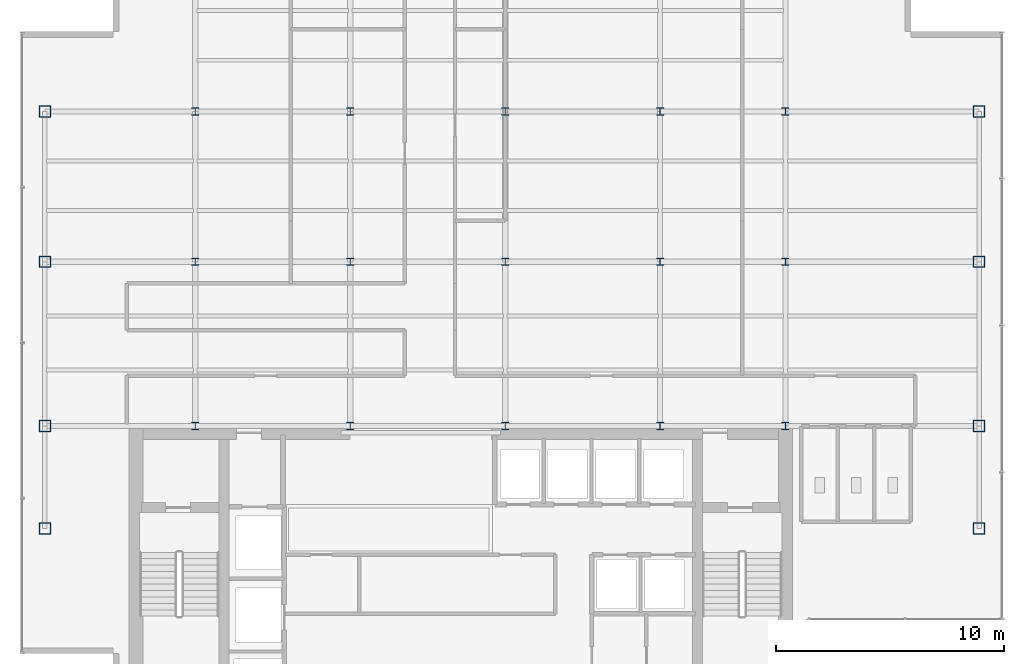
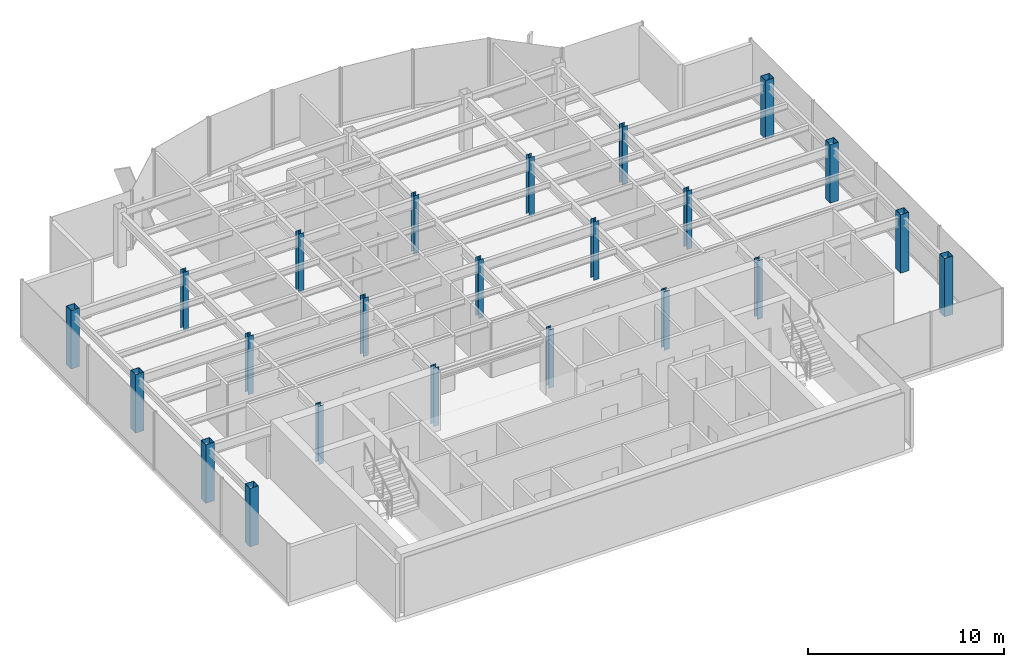
# One storey, part 1 of 22: 23 columns.
"""IFC4 building model written with IfcOpenShell, lengths in metres."""

import ifcopenshell
import ifcopenshell.guid

model = None  # the IFC model being written
_history = None  # IfcOwnerHistory: only IFC2X3 demands one
_inside = {}  # id of a spatial element -> (the spatial element, [elements in it])
_under = {}  # id of a project, library or spatial element -> (it, [spatial elements below it])
_declared = {}  # id of a project -> (the project, [libraries it declares])
_typed = {}  # id of a type object -> (the type object, [elements of that type])
_made_of = {}  # id of a material, layer set ... -> (it, [elements and type objects made of it])


def new_model(schema):
    """Start an empty IFC model of exactly this schema.

    Asked for "IFC4X3", IfcOpenShell would pick the latest addendum, in which some entities
    have other attributes; the version numbers below select the first issue.
    IFC2X3 requires an IfcOwnerHistory on every rooted entity: one is made here for all.
    """
    global model, _history
    if schema == "IFC4X3":
        model = ifcopenshell.file(schema_version=(4, 3, 0, 0))
    else:
        model = ifcopenshell.file(schema=schema)
    _inside.clear()
    _under.clear()
    _declared.clear()
    _typed.clear()
    _made_of.clear()
    _history = None
    if model.schema == "IFC2X3":
        org = make("IfcOrganization", Name="unknown")
        user = make(
            "IfcPersonAndOrganization",
            ThePerson=make("IfcPerson", FamilyName="unknown"),
            TheOrganization=org,
        )
        app = make(
            "IfcApplication",
            ApplicationDeveloper=org,
            Version="unknown",
            ApplicationFullName="unknown",
            ApplicationIdentifier="unknown",
        )
        _history = make(
            "IfcOwnerHistory",
            OwningUser=user,
            OwningApplication=app,
            ChangeAction="ADDED",
            CreationDate=0,
        )
    return model


def make(cls, **values):
    """One entity of the class cls with the attributes given. An attribute that is None is left unset."""
    return model.create_entity(
        cls, **{name: value for name, value in values.items() if value is not None}
    )


def rooted(cls, **values):
    """An entity with a GlobalId (a new one), such as an element, a storey or a relation."""
    return make(cls, GlobalId=ifcopenshell.guid.new(), OwnerHistory=_history, **values)


def si_unit(unit_type, name, prefix=None):
    """IfcSIUnit, for example si_unit("LENGTHUNIT", "METRE", prefix="MILLI")."""
    return make("IfcSIUnit", UnitType=unit_type, Prefix=prefix, Name=name)


def derived_unit(unit_type, elements):
    """IfcDerivedUnit: a product of units, each with its exponent."""
    return make(
        "IfcDerivedUnit",
        Elements=[
            make("IfcDerivedUnitElement", Unit=unit, Exponent=power)
            for unit, power in elements
        ],
        UnitType=unit_type,
    )


def assignment(units):
    """IfcUnitAssignment: the units of a project."""
    return None if units is None else make("IfcUnitAssignment", Units=units)


def point(xyz):
    """IfcCartesianPoint."""
    return None if xyz is None else make("IfcCartesianPoint", Coordinates=xyz)


def direction(xyz):
    """IfcDirection."""
    return None if xyz is None else make("IfcDirection", DirectionRatios=xyz)


def frame(location, z_axis=None, x_axis=None):
    """IfcAxis2Placement3D, a coordinate frame: its origin and axes. An axis left out is left unset."""
    return make(
        "IfcAxis2Placement3D",
        Location=point(location),
        Axis=direction(z_axis),
        RefDirection=direction(x_axis),
    )


def frame_2d(location, x_axis=None):
    """IfcAxis2Placement2D, a coordinate frame in the plane: its origin and x axis."""
    return make(
        "IfcAxis2Placement2D", Location=point(location), RefDirection=direction(x_axis)
    )


def origin():
    """The frame at (0, 0, 0) with its axes left unset."""
    return frame((0.0, 0.0, 0.0))


def origin_2d():
    """The frame at (0, 0) in the plane with its x axis left unset."""
    return frame_2d((0.0, 0.0))


def place(relative_to, where):
    """IfcLocalPlacement: puts the frame where relative to a parent placement (None: the world)."""
    return make(
        "IfcLocalPlacement", PlacementRelTo=relative_to, RelativePlacement=where
    )


def context(
    kind, dimensions, precision=None, world=None, true_north=None, identifier=None
):
    """IfcGeometricRepresentationContext, for example the 3D "Model" context."""
    return make(
        "IfcGeometricRepresentationContext",
        ContextIdentifier=identifier,
        ContextType=kind,
        CoordinateSpaceDimension=dimensions,
        Precision=precision,
        WorldCoordinateSystem=world,
        TrueNorth=true_north,
    )


def subcontext(parent, identifier, kind, view, scale=None):
    """IfcGeometricRepresentationSubContext, for example "Body" below "Model"."""
    return make(
        "IfcGeometricRepresentationSubContext",
        ContextIdentifier=identifier,
        ContextType=kind,
        ParentContext=parent,
        TargetScale=scale,
        TargetView=view,
    )


def project(units=None, contexts=None):
    """IfcProject with its units and contexts."""
    return rooted(
        "IfcProject",
        Name="project",
        RepresentationContexts=contexts,
        UnitsInContext=assignment(units),
    )


def spatial(cls, under=None, at=None, **own):
    """A site, building, storey or space (cls), placed at a placement, below another one or the project."""
    s = rooted(cls, ObjectPlacement=at, **own)
    if under is not None:
        _under.setdefault(under.id(), (under, []))[1].append(s)
    return s


def profile(cls, at=None, kind="AREA", **sizes):
    """A parametric profile (cls). Its sizes go by their IFC names, for example OverallWidth=200.0."""
    return make(cls, ProfileType=kind, Position=at, **sizes)


def hollow_rectangle(**sizes):
    """IfcRectangleHollowProfileDef."""
    return profile("IfcRectangleHollowProfileDef", **sizes)


def i_section(**sizes):
    """IfcIShapeProfileDef."""
    return profile("IfcIShapeProfileDef", **sizes)


def extrude(swept, where, along, depth):
    """IfcExtrudedAreaSolid: the profile swept, set in the frame where, extruded along a direction by depth."""
    return make(
        "IfcExtrudedAreaSolid",
        SweptArea=swept,
        Position=where,
        ExtrudedDirection=direction(along),
        Depth=depth,
    )


def shape(context_of_items, identifier, shape_type, items):
    """IfcShapeRepresentation: the items that make up one representation, for example the "Body"."""
    return make(
        "IfcShapeRepresentation",
        ContextOfItems=context_of_items,
        RepresentationIdentifier=identifier,
        RepresentationType=shape_type,
        Items=items,
    )


def source(mapping_origin, context_of_items, identifier, shape_type, items):
    """IfcRepresentationMap: a shape defined once, which mapped items show again and again."""
    return make(
        "IfcRepresentationMap",
        MappingOrigin=mapping_origin,
        MappedRepresentation=shape(context_of_items, identifier, shape_type, items),
    )


def transform(
    local_origin,
    x_axis=None,
    y_axis=None,
    z_axis=None,
    scale=None,
    scale2=None,
    scale3=None,
    uniform=True,
):
    """IfcCartesianTransformationOperator3D, or its non-uniform kind. x_axis, y_axis, z_axis: its Axis1, 2, 3."""
    if uniform:
        return make(
            "IfcCartesianTransformationOperator3D",
            Axis1=direction(x_axis),
            Axis2=direction(y_axis),
            LocalOrigin=point(local_origin),
            Scale=scale,
            Axis3=direction(z_axis),
        )
    return make(
        "IfcCartesianTransformationOperator3DnonUniform",
        Axis1=direction(x_axis),
        Axis2=direction(y_axis),
        LocalOrigin=point(local_origin),
        Scale=scale,
        Axis3=direction(z_axis),
        Scale2=scale2,
        Scale3=scale3,
    )


def mapped(mapping_source, mapping_target):
    """IfcMappedItem: shows the shape of a source again, moved by a transform."""
    return make(
        "IfcMappedItem", MappingSource=mapping_source, MappingTarget=mapping_target
    )


def material(Name=None, Category=None):
    """IfcMaterial."""
    return make("IfcMaterial", Name=Name, Category=Category)


def material_profile(
    of_material, cross_section, Name=None, Category=None, Priority=None
):
    """IfcMaterialProfile: a cross section and its material."""
    return make(
        "IfcMaterialProfile",
        Name=Name,
        Material=of_material,
        Profile=cross_section,
        Priority=Priority,
        Category=Category,
    )


def profile_set(profiles, Name=None, composite=None):
    """IfcMaterialProfileSet."""
    return make(
        "IfcMaterialProfileSet",
        Name=Name,
        MaterialProfiles=profiles,
        CompositeProfile=composite,
    )


def made_of(thing, what):
    """Note that an element or type object is made of a material, layer set ...; save() writes the relation."""
    if what is not None:
        _made_of.setdefault(what.id(), (what, []))[1].append(thing)
    return thing


def type_object(cls, material=None, **own):
    """A type object (cls), such as IfcWallType, which elements share."""
    return made_of(rooted(cls, **own), material)


def element(
    cls,
    number,
    at=None,
    inside=None,
    cuts=None,
    type_object=None,
    material=None,
    context=None,
    identifier="Body",
    shape_type=None,
    held_by="IfcProductDefinitionShape",
    body=None,
    shapes=None,
    **own,
):
    """One element of the class cls, such as IfcWall. Its Tag is "e" and its number.

    at: its placement. inside: the storey or other place that contains it. cuts: it is an
    opening in that element (IfcRelVoidsElement). A single representation is given by context,
    identifier, shape_type and body (its items); several are given by shapes. held_by: the class
    of the entity that holds the representations. save() writes the other relations.
    """
    e = rooted(cls, Tag="e%d" % number, ObjectPlacement=at, **own)
    if body is not None:
        shapes = [shape(context, identifier, shape_type, body)]
    if shapes is not None:
        e.Representation = make(held_by, Representations=shapes)
    if inside is not None:
        _inside.setdefault(inside.id(), (inside, []))[1].append(e)
    if cuts is not None:
        rooted(
            "IfcRelVoidsElement", RelatingBuildingElement=cuts, RelatedOpeningElement=e
        )
    if type_object is not None:
        _typed.setdefault(type_object.id(), (type_object, []))[1].append(e)
    return made_of(e, material)


def aggregate(whole, parts):
    """IfcRelAggregates: a whole, such as a stair, and the parts it consists of."""
    return rooted("IfcRelAggregates", RelatingObject=whole, RelatedObjects=parts)


def save(model, path):
    """Write the relations noted so far, then the file.

    IfcRelAggregates (storeys below a building ...), IfcRelContainedInSpatialStructure (elements
    in a storey), IfcRelDefinesByType, IfcRelAssociatesMaterial and IfcRelDeclares: one each for
    every whole, place, type object, material and project.
    """
    for whole, parts in _under.values():
        aggregate(whole, parts)
    for where, things in _inside.values():
        rooted(
            "IfcRelContainedInSpatialStructure",
            RelatedElements=things,
            RelatingStructure=where,
        )
    for kind, things in _typed.values():
        rooted("IfcRelDefinesByType", RelatedObjects=things, RelatingType=kind)
    for what, things in _made_of.values():
        rooted("IfcRelAssociatesMaterial", RelatedObjects=things, RelatingMaterial=what)
    for by, libraries in _declared.values():
        rooted("IfcRelDeclares", RelatingContext=by, RelatedDefinitions=libraries)
    model.write(path)


model = new_model("IFC4")

# Units and contexts
model_context = context("Model", 3, precision=1e-05, world=origin(), true_north=direction((0.0, 1.0)))
body_context = subcontext(model_context, "Body", "Model", "MODEL_VIEW")
ifc_project = project(units=[si_unit("LENGTHUNIT", "METRE"), si_unit("AREAUNIT", "SQUARE_METRE"), si_unit("VOLUMEUNIT", "CUBIC_METRE"), si_unit("PLANEANGLEUNIT", "RADIAN"), si_unit("MASSUNIT", "GRAM", prefix="KILO"), derived_unit("THERMALTRANSMITTANCEUNIT", [(si_unit("POWERUNIT", "WATT"), 1), (si_unit("LENGTHUNIT", "METRE"), -2), (si_unit("THERMODYNAMICTEMPERATUREUNIT", "KELVIN"), -1)])], contexts=[model_context])

# Site, building, storey
site_placement = place(None, origin())
site = spatial("IfcSite", under=ifc_project, at=site_placement, CompositionType="ELEMENT")
building_placement = place(site_placement, origin())
building = spatial("IfcBuilding", under=site, at=building_placement, Name="Skarnbrae Concourse Arena and Tower", CompositionType="ELEMENT")
storey_placement = place(building_placement, frame((0.0, 0.0, 206.85009765625)))
storey = spatial("IfcBuildingStorey", under=building, at=storey_placement, Name="L53", CompositionType="ELEMENT", Elevation=206.85009765625)

# Columns
ifc_material = material(Name="Steel CSA G40.21 350W", Category="steel")
ifc_material_profile_1 = material_profile(ifc_material, hollow_rectangle(XDim=0.5, YDim=0.5, WallThickness=0.02197265625, at=origin_2d()), Name="HSS500X500X22.0")
ifc_profile_set_1 = profile_set([ifc_material_profile_1], Name="Steel CSA G40.21 350W")
column_type_1 = type_object("IfcColumnType", Name="COL-TUBE-HSS500", PredefinedType="COLUMN", material=ifc_profile_set_1)
shared_shape_1 = source(origin(), body_context, "Body", "SweptSolid", [
    extrude(hollow_rectangle(XDim=0.5, YDim=0.5, WallThickness=0.02197265625, at=origin_2d()), origin(), (0.0, 0.0, 1.0), 3.64990234375),
])
for number, where, z_axis, x_axis, name in (
    (1, (1.0, 9.5, 0.0), (0.0, 0.0, 1.0), (1.0, 0.0, 0.0), "L53 Tower column PC_01_01"),
    (2, (1.0, 14.0, 0.0), (0.0, 0.0, 1.0), (1.0, 0.0, 0.0), "L53 Tower column PC_01_02"),
    (3, (1.0, 21.199951171875, 0.0), (0.0, 0.0, 1.0), (1.0, 0.0, 0.0), "L53 Tower column PC_01_03"),
    (4, (1.0, 27.800048828125, 0.0), (0.0, 0.0, 1.0), (1.0, 0.0, 0.0), "L53 Tower column PC_01_04"),
    (5, (42.0, 9.5, 0.0), (0.0, 0.0, 1.0), (1.0, 0.0, 0.0), "L53 Tower column PC_07_01"),
    (6, (42.0, 14.0, 0.0), (0.0, 0.0, 1.0), (1.0, 0.0, 0.0), "L53 Tower column PC_07_02"),
    (7, (42.0, 21.199951171875, 0.0), (0.0, 0.0, 1.0), (1.0, 0.0, 0.0), "L53 Tower column PC_07_03"),
    (8, (42.0, 27.800048828125, 0.0), (0.0, 0.0, 1.0), (1.0, 0.0, 0.0), "L53 Tower column PC_07_04"),
):
    element("IfcColumn", number, at=place(storey_placement, frame(where, z_axis=z_axis, x_axis=x_axis)), inside=storey, type_object=column_type_1, Name=name, PredefinedType="COLUMN", context=body_context, shape_type="MappedRepresentation", body=[
        mapped(shared_shape_1, transform((0.0, 0.0, 0.0))),
    ])
ifc_material_profile_2 = material_profile(ifc_material, i_section(OverallWidth=0.30908203125, OverallDepth=0.322998046875, WebThickness=0.013916015625, FlangeThickness=0.02294921875, at=origin_2d()), Name="W310X143")
ifc_profile_set_2 = profile_set([ifc_material_profile_2], Name="Steel CSA G40.21 350W")
column_type_2 = type_object("IfcColumnType", Name="COL-INT-W310X143", PredefinedType="COLUMN", material=ifc_profile_set_2)
shared_shape_2 = source(origin(), body_context, "Body", "SweptSolid", [
    extrude(i_section(OverallWidth=0.30908203125, OverallDepth=0.322998046875, WebThickness=0.013916015625, FlangeThickness=0.02294921875, at=origin_2d()), origin(), (0.0, 0.0, 1.0), 3.64990234375),
])
for number, where, z_axis, x_axis, name in (
    (9, (7.60009765625, 14.0, 0.0), (0.0, 0.0, 1.0), (1.0, 0.0, 0.0), "L53 Tower column IC_02_02"),
    (10, (7.60009765625, 21.199951171875, 0.0), (0.0, 0.0, 1.0), (1.0, 0.0, 0.0), "L53 Tower column IC_02_03"),
    (11, (7.60009765625, 27.800048828125, 0.0), (0.0, 0.0, 1.0), (1.0, 0.0, 0.0), "L53 Tower column IC_02_04"),
    (12, (14.39990234375, 14.0, 0.0), (0.0, 0.0, 1.0), (1.0, 0.0, 0.0), "L53 Tower column IC_03_02"),
    (13, (14.39990234375, 21.199951171875, 0.0), (0.0, 0.0, 1.0), (1.0, 0.0, 0.0), "L53 Tower column IC_03_03"),
    (14, (14.39990234375, 27.800048828125, 0.0), (0.0, 0.0, 1.0), (1.0, 0.0, 0.0), "L53 Tower column IC_03_04"),
    (15, (21.199951171875, 14.0, 0.0), (0.0, 0.0, 1.0), (1.0, 0.0, 0.0), "L53 Tower column IC_04_02"),
    (16, (21.199951171875, 21.199951171875, 0.0), (0.0, 0.0, 1.0), (1.0, 0.0, 0.0), "L53 Tower column IC_04_03"),
    (17, (21.199951171875, 27.800048828125, 0.0), (0.0, 0.0, 1.0), (1.0, 0.0, 0.0), "L53 Tower column IC_04_04"),
    (18, (28.0, 14.0, 0.0), (0.0, 0.0, 1.0), (1.0, 0.0, 0.0), "L53 Tower column IC_05_02"),
    (19, (28.0, 21.199951171875, 0.0), (0.0, 0.0, 1.0), (1.0, 0.0, 0.0), "L53 Tower column IC_05_03"),
    (20, (28.0, 27.800048828125, 0.0), (0.0, 0.0, 1.0), (1.0, 0.0, 0.0), "L53 Tower column IC_05_04"),
    (21, (33.5, 14.0, 0.0), (0.0, 0.0, 1.0), (1.0, 0.0, 0.0), "L53 Tower column IC_06_02"),
    (22, (33.5, 21.199951171875, 0.0), (0.0, 0.0, 1.0), (1.0, 0.0, 0.0), "L53 Tower column IC_06_03"),
    (23, (33.5, 27.800048828125, 0.0), (0.0, 0.0, 1.0), (1.0, 0.0, 0.0), "L53 Tower column IC_06_04"),
):
    element("IfcColumn", number, at=place(storey_placement, frame(where, z_axis=z_axis, x_axis=x_axis)), inside=storey, type_object=column_type_2, Name=name, PredefinedType="COLUMN", context=body_context, shape_type="MappedRepresentation", body=[
        mapped(shared_shape_2, transform((0.0, 0.0, 0.0))),
    ])

save(model, "model.ifc")
